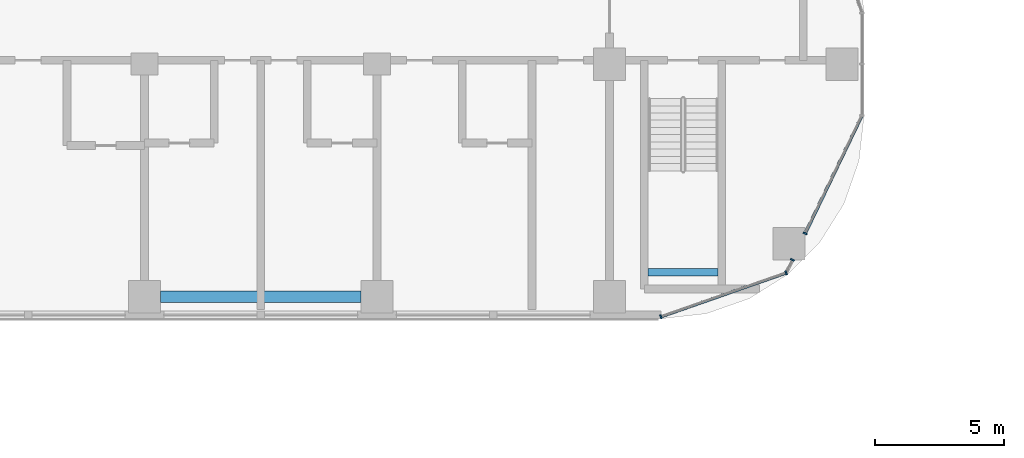
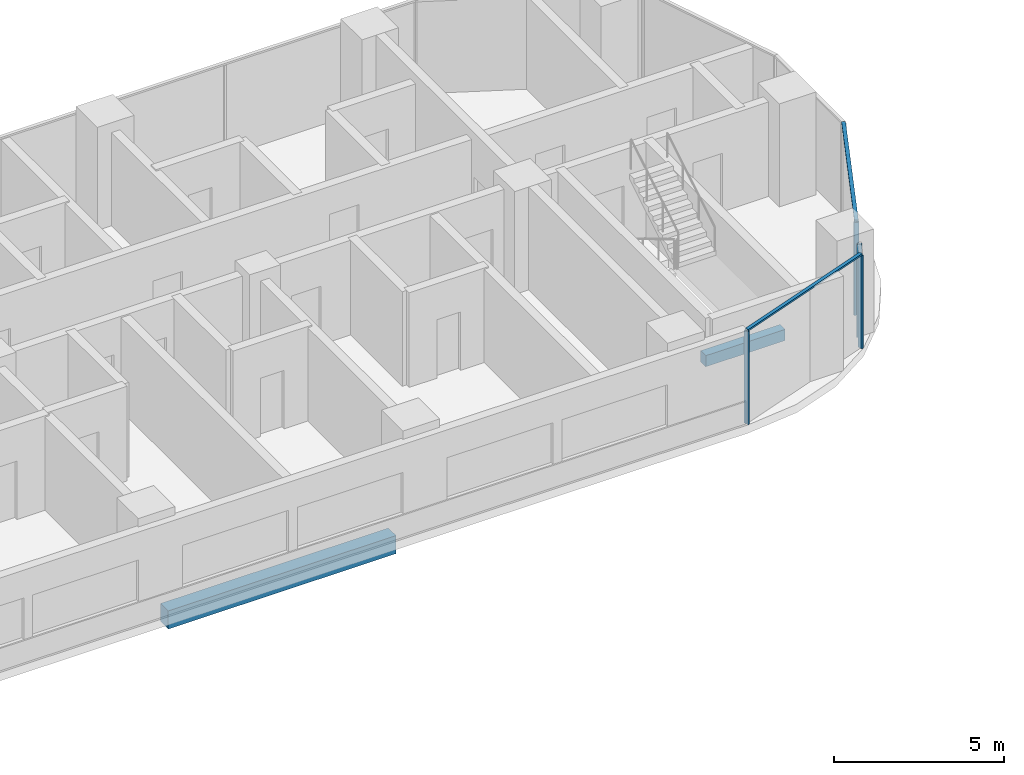
# One storey, part 3 of 35: 6 members, 2 beams, 2 elements without a shape of their own.
"""IFC4 building model written with IfcOpenShell, lengths in metres."""

from ifc_helpers import new_model, si_unit, direction, frame, origin, origin_2d, place, context, subcontext, project, spatial, rectangle, extrude, material, material_profile, profile_set, type_object, element, aggregate, save


model = new_model("IFC4")

# Units and contexts
model_context = context("Model", 3, precision=1e-05, world=origin(), true_north=direction((0.0, 1.0)))
body_context = subcontext(model_context, "Body", "Model", "MODEL_VIEW")
ifc_project = project(units=[si_unit("LENGTHUNIT", "METRE"), si_unit("AREAUNIT", "SQUARE_METRE"), si_unit("VOLUMEUNIT", "CUBIC_METRE"), si_unit("PLANEANGLEUNIT", "RADIAN"), si_unit("MASSUNIT", "GRAM", prefix="KILO")], contexts=[model_context])

# Site, building, storey
site_placement = place(None, origin())
site = spatial("IfcSite", under=ifc_project, at=site_placement, CompositionType="ELEMENT")
building_placement = place(site_placement, origin())
building = spatial("IfcBuilding", under=site, at=building_placement, Name="Ogive Portal Towers", CompositionType="ELEMENT")
storey_placement = place(building_placement, frame((0.0, 0.0, 94.5)))
storey = spatial("IfcBuildingStorey", under=building, at=storey_placement, Name="L22", CompositionType="ELEMENT", Elevation=94.5)

# Beam
ifc_material_1 = material(Name="Concrete C40/50", Category="concrete")
ifc_material_profile_1 = material_profile(ifc_material_1, rectangle(XDim=0.300048828125, YDim=0.39990234375, at=origin_2d()), Name="RC 300x400")
ifc_profile_set_1 = profile_set([ifc_material_profile_1], Name="Concrete C40/50")
beam_type_1 = type_object("IfcBeamType", Name="BEAM RC 300x400", PredefinedType="BEAM", material=ifc_profile_set_1)
beam_1_placement = place(storey_placement, frame((87.0, 22.449951171875, 1.449951171875), z_axis=(1.0, 0.0, 0.0), x_axis=(0.0, 1.0, 0.0)))
element("IfcBeam", 1, at=beam_1_placement, inside=storey, type_object=beam_type_1, Name="Landing beam L22", PredefinedType="BEAM", context=body_context, shape_type="SweptSolid", body=[
    extrude(rectangle(XDim=0.300048828125, YDim=0.39990234375, at=origin_2d()), origin(), (0.0, 0.0, 1.0), 2.699951171875),
])

# Curtain wall, members
ifc_material_2 = material(Name="Glass, clear low-iron insulated glazing", Category="glass")
curtain_wall_type = type_object("IfcCurtainWallType", Name="CW FRONT RIBBON 4500", PredefinedType="NOTDEFINED", material=ifc_material_2)
curtain_wall_1_placement = place(storey_placement, origin())
curtain_wall_1 = element("IfcCurtainWall", 2, at=curtain_wall_1_placement, inside=storey, type_object=curtain_wall_type, Name="A:L22:f06:cwa~0", PredefinedType="NOTDEFINED")
ifc_material_3 = material(Name="Aluminium 6063 anodised", Category="aluminium")
ifc_material_profile_2 = material_profile(ifc_material_3, rectangle(XDim=0.159912109375, YDim=0.06005859375, at=origin_2d()), Name="AL 60x160")
ifc_profile_set_2 = profile_set([ifc_material_profile_2], Name="Aluminium 6063 anodised")
member_type_1 = type_object("IfcMemberType", Name="CW MULLION 60x160", PredefinedType="MULLION", material=ifc_profile_set_2)
member_1_placement = place(storey_placement, frame((87.486328125, 20.72509765625, 0.0), z_axis=(0.0, 0.0, 1.0), x_axis=(-0.33027906196, 0.943883330307, 0.0)))
member_1 = element("IfcMember", 3, at=member_1_placement, type_object=member_type_1, Name="mullion", PredefinedType="MULLION", context=body_context, shape_type="SweptSolid", body=[
    extrude(rectangle(XDim=0.159912109375, YDim=0.06005859375, at=origin_2d()), origin(), (0.0, 0.0, 1.0), 3.340087890625),
])
member_2_placement = place(storey_placement, frame((92.33984375, 22.42333984375, 0.0), z_axis=(0.0, 0.0, 1.0), x_axis=(-0.33027906196, 0.943883330307, 0.0)))
member_2 = element("IfcMember", 4, at=member_2_placement, type_object=member_type_1, Name="mullion", PredefinedType="MULLION", context=body_context, shape_type="SweptSolid", body=[
    extrude(rectangle(XDim=0.159912109375, YDim=0.06005859375, at=origin_2d()), origin(), (0.0, 0.0, 1.0), 3.340087890625),
])
member_3_placement = place(storey_placement, frame((92.58154296875, 22.925048828125, 0.0), z_axis=(0.0, 0.0, 1.0), x_axis=(-0.900968867905, 0.433883739113, 0.0)))
member_3 = element("IfcMember", 5, at=member_3_placement, type_object=member_type_1, Name="mullion", PredefinedType="MULLION", context=body_context, shape_type="SweptSolid", body=[
    extrude(rectangle(XDim=0.159912109375, YDim=0.06005859375, at=origin_2d()), origin(), (0.0, 0.0, 1.0), 3.340087890625),
])

# Curtain wall, member
curtain_wall_2_placement = place(storey_placement, origin())
curtain_wall_2 = element("IfcCurtainWall", 6, at=curtain_wall_2_placement, inside=storey, type_object=curtain_wall_type, Name="A:L22:f06:cwa~1", PredefinedType="NOTDEFINED")
member_4_placement = place(storey_placement, frame((93.074951171875, 23.949951171875, 0.0), z_axis=(0.0, 0.0, 1.0), x_axis=(-0.900968867905, 0.433883739113, 0.0)))
member_4 = element("IfcMember", 7, at=member_4_placement, type_object=member_type_1, Name="mullion", PredefinedType="MULLION", context=body_context, shape_type="SweptSolid", body=[
    extrude(rectangle(XDim=0.159912109375, YDim=0.06005859375, at=origin_2d()), origin(), (0.0, 0.0, 1.0), 3.340087890625),
])

# Member
ifc_material_profile_3 = material_profile(ifc_material_3, rectangle(XDim=0.1201171875, YDim=0.06005859375, at=origin_2d()), Name="AL 120x60")
ifc_profile_set_3 = profile_set([ifc_material_profile_3], Name="Aluminium 6063 anodised")
member_type_2 = type_object("IfcMemberType", Name="CW TRANSOM 60x120", PredefinedType="USERDEFINED", material=ifc_profile_set_3)
member_5_placement = place(storey_placement, frame((87.486328125, 20.72509765625, 3.3701171875), z_axis=(0.943887961031, 0.330265827813, 0.0), x_axis=(-0.330265827813, 0.943887961031, 0.0)))
member_5 = element("IfcMember", 8, at=member_5_placement, type_object=member_type_2, Name="transom", ObjectType="TRANSOM", PredefinedType="USERDEFINED", context=body_context, shape_type="SweptSolid", body=[
    extrude(rectangle(XDim=0.1201171875, YDim=0.06005859375, at=origin_2d()), origin(), (0.0, 0.0, 1.0), 5.14208984375),
])

aggregate(curtain_wall_1, [member_5, member_1, member_2, member_3])

member_6_placement = place(storey_placement, frame((93.074951171875, 23.949951171875, 3.3701171875), z_axis=(0.433874973595, 0.900973089103, 0.0), x_axis=(-0.900973089103, 0.433874973595, 0.0)))
member_6 = element("IfcMember", 9, at=member_6_placement, type_object=member_type_2, Name="transom", ObjectType="TRANSOM", PredefinedType="USERDEFINED", context=body_context, shape_type="SweptSolid", body=[
    extrude(rectangle(XDim=0.1201171875, YDim=0.06005859375, at=origin_2d()), origin(), (0.0, 0.0, 1.0), 5.070556640625),
])

aggregate(curtain_wall_2, [member_6, member_4])

# Beam
ifc_material_4 = material(Name="Concrete C50/60", Category="concrete")
ifc_material_profile_4 = material_profile(ifc_material_4, rectangle(XDim=0.449951171875, YDim=0.64990234375, at=origin_2d()), Name="RC 450x650")
ifc_profile_set_4 = profile_set([ifc_material_profile_4], Name="Concrete C50/60")
beam_type_2 = type_object("IfcBeamType", Name="SPANDREL BEAM RC 450x650", PredefinedType="BEAM", material=ifc_profile_set_4)
beam_2_placement = place(storey_placement, frame((75.875, 21.5, -0.625), z_axis=(-1.0, 0.0, 0.0), x_axis=(0.0, -1.0, 0.0)))
element("IfcBeam", 10, at=beam_2_placement, inside=storey, type_object=beam_type_2, Name="Spandrel beam L22", PredefinedType="BEAM", context=body_context, shape_type="SweptSolid", body=[
    extrude(rectangle(XDim=0.449951171875, YDim=0.64990234375, at=origin_2d()), origin(), (0.0, 0.0, 1.0), 7.75),
])

save(model, "model.ifc")
